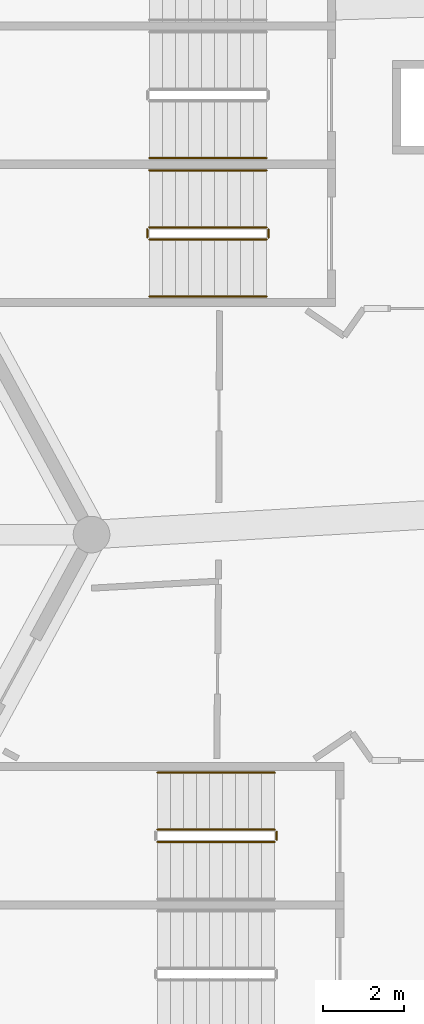
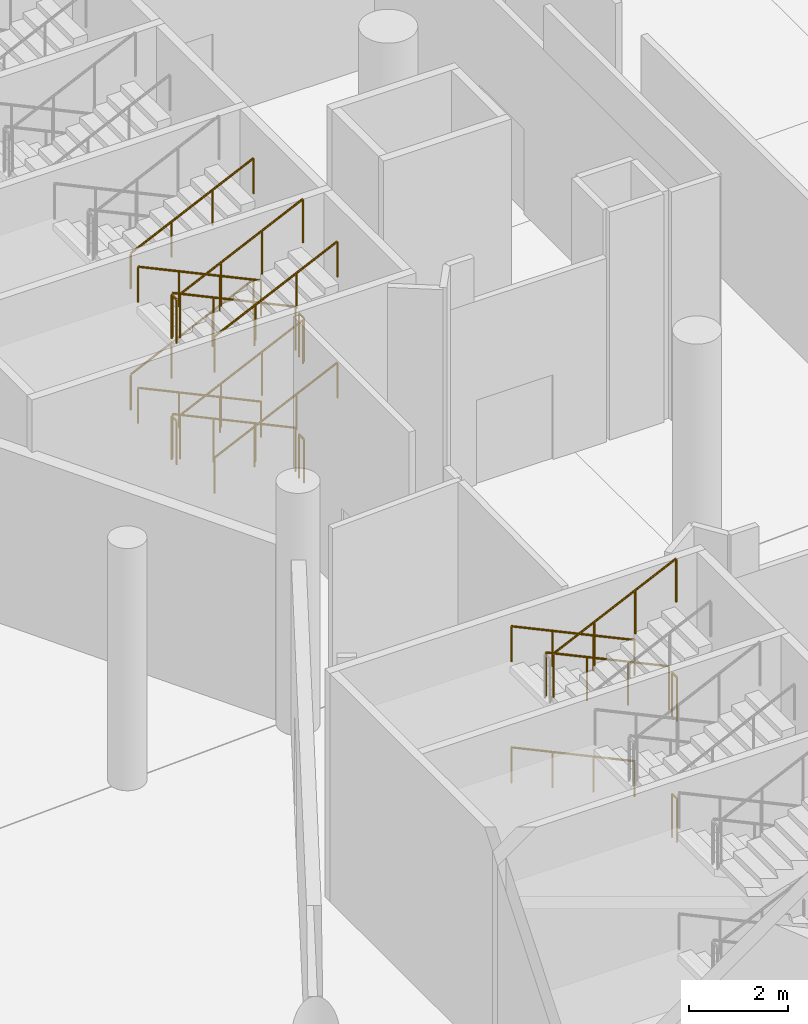
# One storey, part 210 of 249: 20 railings.
"""IFC4 building model written with IfcOpenShell, lengths in metres."""

from ifc_helpers import new_model, si_unit, direction, frame, origin, origin_2d, place, context, subcontext, project, spatial, circle, extrude, material, type_object, element, save


model = new_model("IFC4")

# Units and contexts
model_context = context("Model", 3, precision=1e-05, world=origin(), true_north=direction((0.0, 1.0)))
body_context = subcontext(model_context, "Body", "Model", "MODEL_VIEW")
ifc_project = project(units=[si_unit("LENGTHUNIT", "METRE"), si_unit("AREAUNIT", "SQUARE_METRE"), si_unit("VOLUMEUNIT", "CUBIC_METRE"), si_unit("PLANEANGLEUNIT", "RADIAN"), si_unit("MASSUNIT", "GRAM", prefix="KILO")], contexts=[model_context])

# Site, building, storey
site_placement = place(None, origin())
site = spatial("IfcSite", under=ifc_project, at=site_placement, CompositionType="ELEMENT")
building_placement = place(site_placement, origin())
building = spatial("IfcBuilding", under=site, at=building_placement, Name="Meseta Stadium", CompositionType="ELEMENT")
storey_placement = place(building_placement, frame((0.0, 0.0, 12.0)))
storey = spatial("IfcBuildingStorey", under=building, at=storey_placement, Name="L02", CompositionType="ELEMENT", Elevation=12.0)

# Railings
ifc_material_1 = material(Name="Steel S355", Category="steel")
railing_type_1 = type_object("IfcRailingType", Name="Stair guard 1100", PredefinedType="GUARDRAIL", material=ifc_material_1)
railing_1_placement = place(storey_placement, frame((-90.300048828125, -23.699951171875, 0.14990234375)))
element("IfcRailing", 1, at=railing_1_placement, inside=storey, type_object=railing_type_1, Name="ST72 L02 guard 1", PredefinedType="GUARDRAIL", context=body_context, shape_type="SweptSolid", body=[
    extrude(circle(Radius=0.02392578125, at=origin_2d()), frame((0.0, 0.0, 1.076171875), z_axis=(-0.905440498372, 0.0, 0.424473207528), x_axis=(0.0, -1.0, 0.0)), (0.0, 0.0, 1.0), 3.1806640625),
    extrude(circle(Radius=0.02099609375, at=origin_2d()), origin(), (0.0, 0.0, 1.0), 1.052001953125),
    extrude(circle(Radius=0.02099609375, at=origin_2d()), frame((-0.9599609375, 0.0, 0.449951171875)), (0.0, 0.0, 1.0), 1.052001953125),
    extrude(circle(Radius=0.02099609375, at=origin_2d()), frame((-1.919921875, 0.0, 0.900146484375)), (0.0, 0.0, 1.0), 1.052001953125),
    extrude(circle(Radius=0.02099609375, at=origin_2d()), frame((-2.8798828125, 0.0, 1.35009765625)), (0.0, 0.0, 1.0), 1.052001953125),
])
railing_2_placement = place(storey_placement, frame((-93.22998046875, -23.75, 1.5)))
element("IfcRailing", 2, at=railing_2_placement, inside=storey, type_object=railing_type_1, Name="ST72 L02 guard 2", PredefinedType="GUARDRAIL", context=body_context, shape_type="SweptSolid", body=[
    extrude(circle(Radius=0.02392578125, at=origin_2d()), frame((0.0, 0.0, 1.076171875), z_axis=(0.0, -1.0, 0.0), x_axis=(1.0, 0.0, 0.0)), (0.0, 0.0, 1.0), 0.199951171875),
    extrude(circle(Radius=0.02099609375, at=origin_2d()), origin(), (0.0, 0.0, 1.0), 1.052001953125),
    extrude(circle(Radius=0.02099609375, at=origin_2d()), frame((0.0, -0.199951171875, 0.0)), (0.0, 0.0, 1.0), 1.052001953125),
])
railing_3_placement = place(storey_placement, frame((-93.179931640625, -24.0, 1.64990234375)))
element("IfcRailing", 3, at=railing_3_placement, inside=storey, type_object=railing_type_1, Name="ST72 L02 guard 3", PredefinedType="GUARDRAIL", context=body_context, shape_type="SweptSolid", body=[
    extrude(circle(Radius=0.02392578125, at=origin_2d()), frame((0.0, 0.0, 1.076171875), z_axis=(0.905440498372, 0.0, 0.424473207528), x_axis=(0.0, 1.0, 0.0)), (0.0, 0.0, 1.0), 3.1806640625),
    extrude(circle(Radius=0.02099609375, at=origin_2d()), origin(), (0.0, 0.0, 1.0), 1.052001953125),
    extrude(circle(Radius=0.02099609375, at=origin_2d()), frame((0.9599609375, 0.0, 0.449951171875)), (0.0, 0.0, 1.0), 1.052001953125),
    extrude(circle(Radius=0.02099609375, at=origin_2d()), frame((1.919921875, 0.0, 0.900146484375)), (0.0, 0.0, 1.0), 1.052001953125),
    extrude(circle(Radius=0.02099609375, at=origin_2d()), frame((2.8798828125, 0.0, 1.35009765625)), (0.0, 0.0, 1.0), 1.052001953125),
])
railing_4_placement = place(storey_placement, frame((-90.25, -23.75, 3.0)))
element("IfcRailing", 4, at=railing_4_placement, inside=storey, type_object=railing_type_1, Name="ST72 L02 guard 4", PredefinedType="GUARDRAIL", context=body_context, shape_type="SweptSolid", body=[
    extrude(circle(Radius=0.02392578125, at=origin_2d()), frame((0.0, 0.0, 1.076171875), z_axis=(0.0, -1.0, 0.0), x_axis=(1.0, 0.0, 0.0)), (0.0, 0.0, 1.0), 0.199951171875),
    extrude(circle(Radius=0.02099609375, at=origin_2d()), origin(), (0.0, 0.0, 1.0), 1.052001953125),
    extrude(circle(Radius=0.02099609375, at=origin_2d()), frame((0.0, -0.199951171875, 0.0)), (0.0, 0.0, 1.0), 1.052001953125),
])
railing_5_placement = place(storey_placement, frame((-90.300048828125, -23.699951171875, 3.14990234375)))
element("IfcRailing", 5, at=railing_5_placement, inside=storey, type_object=railing_type_1, Name="ST72 L02 guard 5", PredefinedType="GUARDRAIL", context=body_context, shape_type="SweptSolid", body=[
    extrude(circle(Radius=0.02392578125, at=origin_2d()), frame((0.0, 0.0, 1.076171875), z_axis=(-0.905440498372, 0.0, 0.424473207528), x_axis=(0.0, -1.0, 0.0)), (0.0, 0.0, 1.0), 3.1806640625),
    extrude(circle(Radius=0.02099609375, at=origin_2d()), origin(), (0.0, 0.0, 1.0), 1.052001953125),
    extrude(circle(Radius=0.02099609375, at=origin_2d()), frame((-0.9599609375, 0.0, 0.449951171875)), (0.0, 0.0, 1.0), 1.052001953125),
    extrude(circle(Radius=0.02099609375, at=origin_2d()), frame((-1.919921875, 0.0, 0.900146484375)), (0.0, 0.0, 1.0), 1.052001953125),
    extrude(circle(Radius=0.02099609375, at=origin_2d()), frame((-2.8798828125, 0.0, 1.35009765625)), (0.0, 0.0, 1.0), 1.052001953125),
])
railing_6_placement = place(storey_placement, frame((-93.22998046875, -23.75, 4.5)))
element("IfcRailing", 6, at=railing_6_placement, inside=storey, type_object=railing_type_1, Name="ST72 L02 guard 6", PredefinedType="GUARDRAIL", context=body_context, shape_type="SweptSolid", body=[
    extrude(circle(Radius=0.02392578125, at=origin_2d()), frame((0.0, 0.0, 1.076171875), z_axis=(0.0, -1.0, 0.0), x_axis=(1.0, 0.0, 0.0)), (0.0, 0.0, 1.0), 0.199951171875),
    extrude(circle(Radius=0.02099609375, at=origin_2d()), origin(), (0.0, 0.0, 1.0), 1.052001953125),
    extrude(circle(Radius=0.02099609375, at=origin_2d()), frame((0.0, -0.199951171875, 0.0)), (0.0, 0.0, 1.0), 1.052001953125),
])
railing_7_placement = place(storey_placement, frame((-93.179931640625, -24.0, 4.64990234375)))
element("IfcRailing", 7, at=railing_7_placement, inside=storey, type_object=railing_type_1, Name="ST72 L02 guard 7", PredefinedType="GUARDRAIL", context=body_context, shape_type="SweptSolid", body=[
    extrude(circle(Radius=0.02392578125, at=origin_2d()), frame((0.0, 0.0, 1.076171875), z_axis=(0.905440498372, 0.0, 0.424473207528), x_axis=(0.0, 1.0, 0.0)), (0.0, 0.0, 1.0), 3.1806640625),
    extrude(circle(Radius=0.02099609375, at=origin_2d()), origin(), (0.0, 0.0, 1.0), 1.052001953125),
    extrude(circle(Radius=0.02099609375, at=origin_2d()), frame((0.9599609375, 0.0, 0.449951171875)), (0.0, 0.0, 1.0), 1.052001953125),
    extrude(circle(Radius=0.02099609375, at=origin_2d()), frame((1.919921875, 0.0, 0.900146484375)), (0.0, 0.0, 1.0), 1.052001953125),
    extrude(circle(Radius=0.02099609375, at=origin_2d()), frame((2.8798828125, 0.0, 1.35009765625)), (0.0, 0.0, 1.0), 1.052001953125),
])
for number, where, name in (
    (8, (-90.25, -23.75, 0.0), "ST72 L02 guard 8"),
    (9, (-90.050048828125, -38.550048828125, 3.0), "ST73 L02 guard 4"),
):
    element("IfcRailing", number, at=place(storey_placement, frame(where)), inside=storey, type_object=railing_type_1, Name=name, PredefinedType="GUARDRAIL", context=body_context, shape_type="SweptSolid", body=[
        extrude(circle(Radius=0.02392578125, at=origin_2d()), frame((0.0, 0.0, 1.076171875), z_axis=(0.0, -1.0, 0.0), x_axis=(1.0, 0.0, 0.0)), (0.0, 0.0, 1.0), 0.199951171875),
        extrude(circle(Radius=0.02099609375, at=origin_2d()), origin(), (0.0, 0.0, 1.0), 1.052001953125),
        extrude(circle(Radius=0.02099609375, at=origin_2d()), frame((0.0, -0.199951171875, 0.0)), (0.0, 0.0, 1.0), 1.052001953125),
    ])
railing_8_placement = place(storey_placement, frame((-90.10009765625, -38.5, 3.14990234375)))
element("IfcRailing", 10, at=railing_8_placement, inside=storey, type_object=railing_type_1, Name="ST73 L02 guard 5", PredefinedType="GUARDRAIL", context=body_context, shape_type="SweptSolid", body=[
    extrude(circle(Radius=0.02392578125, at=origin_2d()), frame((0.0, 0.0, 1.076171875), z_axis=(-0.905440498372, 0.0, 0.424473207528), x_axis=(0.0, -1.0, 0.0)), (0.0, 0.0, 1.0), 3.1806640625),
    extrude(circle(Radius=0.02099609375, at=origin_2d()), origin(), (0.0, 0.0, 1.0), 1.052001953125),
    extrude(circle(Radius=0.02099609375, at=origin_2d()), frame((-0.9599609375, 0.0, 0.449951171875)), (0.0, 0.0, 1.0), 1.052001953125),
    extrude(circle(Radius=0.02099609375, at=origin_2d()), frame((-1.919921875, 0.0, 0.900146484375)), (0.0, 0.0, 1.0), 1.052001953125),
    extrude(circle(Radius=0.02099609375, at=origin_2d()), frame((-2.8798828125, 0.0, 1.35009765625)), (0.0, 0.0, 1.0), 1.052001953125),
])
railing_9_placement = place(storey_placement, frame((-92.97998046875, -38.800048828125, 4.64990234375)))
element("IfcRailing", 11, at=railing_9_placement, inside=storey, type_object=railing_type_1, Name="ST73 L02 guard 7", PredefinedType="GUARDRAIL", context=body_context, shape_type="SweptSolid", body=[
    extrude(circle(Radius=0.02392578125, at=origin_2d()), frame((0.0, 0.0, 1.076171875), z_axis=(0.905440498372, 0.0, 0.424473207528), x_axis=(0.0, 1.0, 0.0)), (0.0, 0.0, 1.0), 3.1806640625),
    extrude(circle(Radius=0.02099609375, at=origin_2d()), origin(), (0.0, 0.0, 1.0), 1.052001953125),
    extrude(circle(Radius=0.02099609375, at=origin_2d()), frame((0.9599609375, 0.0, 0.449951171875)), (0.0, 0.0, 1.0), 1.052001953125),
    extrude(circle(Radius=0.02099609375, at=origin_2d()), frame((1.919921875, 0.0, 0.900146484375)), (0.0, 0.0, 1.0), 1.052001953125),
    extrude(circle(Radius=0.02099609375, at=origin_2d()), frame((2.8798828125, 0.0, 1.35009765625)), (0.0, 0.0, 1.0), 1.052001953125),
])
railing_10_placement = place(storey_placement, frame((-90.050048828125, -38.550048828125, 0.0)))
element("IfcRailing", 12, at=railing_10_placement, inside=storey, type_object=railing_type_1, Name="ST73 L02 guard 8", PredefinedType="GUARDRAIL", context=body_context, shape_type="SweptSolid", body=[
    extrude(circle(Radius=0.02392578125, at=origin_2d()), frame((0.0, 0.0, 1.076171875), z_axis=(0.0, -1.0, 0.0), x_axis=(1.0, 0.0, 0.0)), (0.0, 0.0, 1.0), 0.199951171875),
    extrude(circle(Radius=0.02099609375, at=origin_2d()), origin(), (0.0, 0.0, 1.0), 1.052001953125),
    extrude(circle(Radius=0.02099609375, at=origin_2d()), frame((0.0, -0.199951171875, 0.0)), (0.0, 0.0, 1.0), 1.052001953125),
])
ifc_material_2 = material(Name="Steel S355", Category="steel")
railing_type_2 = type_object("IfcRailingType", Name="Stair handrail 900", PredefinedType="HANDRAIL", material=ifc_material_2)
for number, where, name in (
    (13, (-93.179931640625, -22.0, 1.64990234375), "ST71 L02 handrail 2"),
    (14, (-93.179931640625, -22.0, 4.64990234375), "ST71 L02 handrail 4"),
):
    element("IfcRailing", number, at=place(storey_placement, frame(where)), inside=storey, type_object=railing_type_2, Name=name, PredefinedType="HANDRAIL", context=body_context, shape_type="SweptSolid", body=[
        extrude(circle(Radius=0.02392578125, at=origin_2d()), frame((0.0, 0.0, 0.8759765625), z_axis=(0.905440498372, 0.0, 0.424473207528), x_axis=(0.0, 1.0, 0.0)), (0.0, 0.0, 1.0), 3.1806640625),
        extrude(circle(Radius=0.02099609375, at=origin_2d()), origin(), (0.0, 0.0, 1.0), 0.851806640625),
        extrude(circle(Radius=0.02099609375, at=origin_2d()), frame((0.9599609375, 0.0, 0.449951171875)), (0.0, 0.0, 1.0), 0.851806640625),
        extrude(circle(Radius=0.02099609375, at=origin_2d()), frame((1.919921875, 0.0, 0.900146484375)), (0.0, 0.0, 1.0), 0.851806640625),
        extrude(circle(Radius=0.02099609375, at=origin_2d()), frame((2.8798828125, 0.0, 1.35009765625)), (0.0, 0.0, 1.0), 0.851806640625),
    ])
railing_11_placement = place(storey_placement, frame((-90.300048828125, -22.300048828125, 0.14990234375)))
element("IfcRailing", 15, at=railing_11_placement, inside=storey, type_object=railing_type_2, Name="ST72 L02 handrail 1", PredefinedType="HANDRAIL", context=body_context, shape_type="SweptSolid", body=[
    extrude(circle(Radius=0.02392578125, at=origin_2d()), frame((0.0, 0.0, 0.8759765625), z_axis=(-0.905440498372, 0.0, 0.424473207528), x_axis=(0.0, -1.0, 0.0)), (0.0, 0.0, 1.0), 3.1806640625),
    extrude(circle(Radius=0.02099609375, at=origin_2d()), origin(), (0.0, 0.0, 1.0), 0.851806640625),
    extrude(circle(Radius=0.02099609375, at=origin_2d()), frame((-0.9599609375, 0.0, 0.449951171875)), (0.0, 0.0, 1.0), 0.851806640625),
    extrude(circle(Radius=0.02099609375, at=origin_2d()), frame((-1.919921875, 0.0, 0.900146484375)), (0.0, 0.0, 1.0), 0.851806640625),
    extrude(circle(Radius=0.02099609375, at=origin_2d()), frame((-2.8798828125, 0.0, 1.35009765625)), (0.0, 0.0, 1.0), 0.851806640625),
])
railing_12_placement = place(storey_placement, frame((-93.179931640625, -25.39990234375, 1.64990234375)))
element("IfcRailing", 16, at=railing_12_placement, inside=storey, type_object=railing_type_2, Name="ST72 L02 handrail 2", PredefinedType="HANDRAIL", context=body_context, shape_type="SweptSolid", body=[
    extrude(circle(Radius=0.02392578125, at=origin_2d()), frame((0.0, 0.0, 0.8759765625), z_axis=(0.905440498372, 0.0, 0.424473207528), x_axis=(0.0, 1.0, 0.0)), (0.0, 0.0, 1.0), 3.1806640625),
    extrude(circle(Radius=0.02099609375, at=origin_2d()), origin(), (0.0, 0.0, 1.0), 0.851806640625),
    extrude(circle(Radius=0.02099609375, at=origin_2d()), frame((0.9599609375, 0.0, 0.449951171875)), (0.0, 0.0, 1.0), 0.851806640625),
    extrude(circle(Radius=0.02099609375, at=origin_2d()), frame((1.919921875, 0.0, 0.900146484375)), (0.0, 0.0, 1.0), 0.851806640625),
    extrude(circle(Radius=0.02099609375, at=origin_2d()), frame((2.8798828125, 0.0, 1.35009765625)), (0.0, 0.0, 1.0), 0.851806640625),
])
railing_13_placement = place(storey_placement, frame((-90.300048828125, -22.300048828125, 3.14990234375)))
element("IfcRailing", 17, at=railing_13_placement, inside=storey, type_object=railing_type_2, Name="ST72 L02 handrail 3", PredefinedType="HANDRAIL", context=body_context, shape_type="SweptSolid", body=[
    extrude(circle(Radius=0.02392578125, at=origin_2d()), frame((0.0, 0.0, 0.8759765625), z_axis=(-0.905440498372, 0.0, 0.424473207528), x_axis=(0.0, -1.0, 0.0)), (0.0, 0.0, 1.0), 3.1806640625),
    extrude(circle(Radius=0.02099609375, at=origin_2d()), origin(), (0.0, 0.0, 1.0), 0.851806640625),
    extrude(circle(Radius=0.02099609375, at=origin_2d()), frame((-0.9599609375, 0.0, 0.449951171875)), (0.0, 0.0, 1.0), 0.851806640625),
    extrude(circle(Radius=0.02099609375, at=origin_2d()), frame((-1.919921875, 0.0, 0.900146484375)), (0.0, 0.0, 1.0), 0.851806640625),
    extrude(circle(Radius=0.02099609375, at=origin_2d()), frame((-2.8798828125, 0.0, 1.35009765625)), (0.0, 0.0, 1.0), 0.851806640625),
])
railing_14_placement = place(storey_placement, frame((-93.179931640625, -25.39990234375, 4.64990234375)))
element("IfcRailing", 18, at=railing_14_placement, inside=storey, type_object=railing_type_2, Name="ST72 L02 handrail 4", PredefinedType="HANDRAIL", context=body_context, shape_type="SweptSolid", body=[
    extrude(circle(Radius=0.02392578125, at=origin_2d()), frame((0.0, 0.0, 0.8759765625), z_axis=(0.905440498372, 0.0, 0.424473207528), x_axis=(0.0, 1.0, 0.0)), (0.0, 0.0, 1.0), 3.1806640625),
    extrude(circle(Radius=0.02099609375, at=origin_2d()), origin(), (0.0, 0.0, 1.0), 0.851806640625),
    extrude(circle(Radius=0.02099609375, at=origin_2d()), frame((0.9599609375, 0.0, 0.449951171875)), (0.0, 0.0, 1.0), 0.851806640625),
    extrude(circle(Radius=0.02099609375, at=origin_2d()), frame((1.919921875, 0.0, 0.900146484375)), (0.0, 0.0, 1.0), 0.851806640625),
    extrude(circle(Radius=0.02099609375, at=origin_2d()), frame((2.8798828125, 0.0, 1.35009765625)), (0.0, 0.0, 1.0), 0.851806640625),
])
for number, where, name in (
    (19, (-90.10009765625, -37.10009765625, 0.14990234375), "ST73 L02 handrail 1"),
    (20, (-90.10009765625, -37.10009765625, 3.14990234375), "ST73 L02 handrail 3"),
):
    element("IfcRailing", number, at=place(storey_placement, frame(where)), inside=storey, type_object=railing_type_2, Name=name, PredefinedType="HANDRAIL", context=body_context, shape_type="SweptSolid", body=[
        extrude(circle(Radius=0.02392578125, at=origin_2d()), frame((0.0, 0.0, 0.8759765625), z_axis=(-0.905440498372, 0.0, 0.424473207528), x_axis=(0.0, -1.0, 0.0)), (0.0, 0.0, 1.0), 3.1806640625),
        extrude(circle(Radius=0.02099609375, at=origin_2d()), origin(), (0.0, 0.0, 1.0), 0.851806640625),
        extrude(circle(Radius=0.02099609375, at=origin_2d()), frame((-0.9599609375, 0.0, 0.449951171875)), (0.0, 0.0, 1.0), 0.851806640625),
        extrude(circle(Radius=0.02099609375, at=origin_2d()), frame((-1.919921875, 0.0, 0.900146484375)), (0.0, 0.0, 1.0), 0.851806640625),
        extrude(circle(Radius=0.02099609375, at=origin_2d()), frame((-2.8798828125, 0.0, 1.35009765625)), (0.0, 0.0, 1.0), 0.851806640625),
    ])

save(model, "model.ifc")
